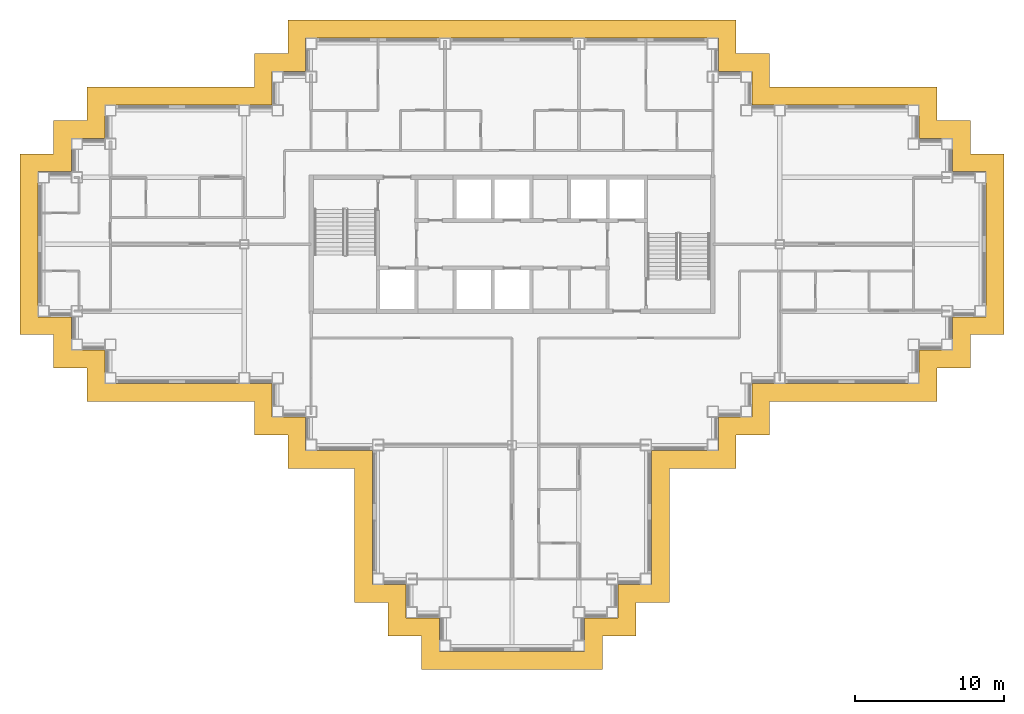
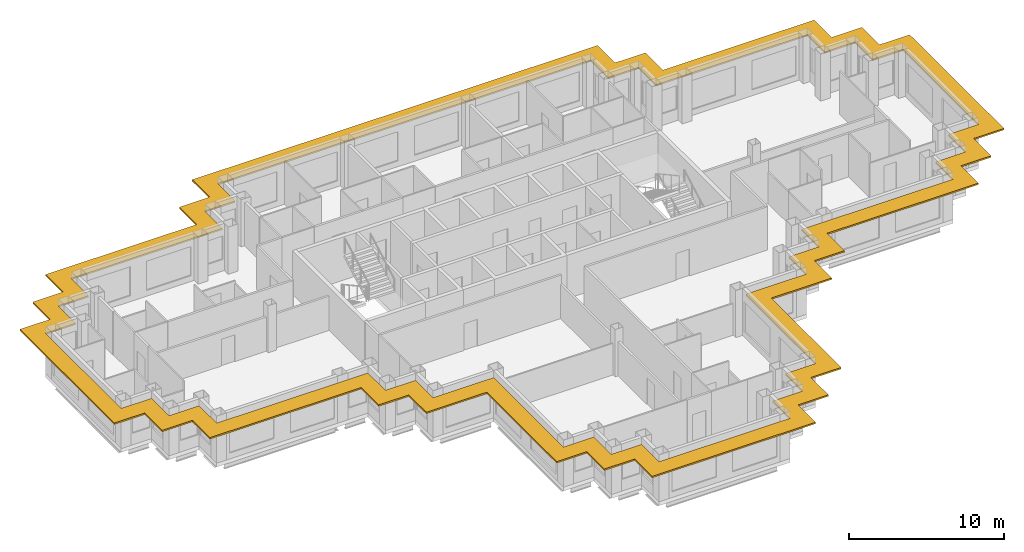
# One storey, part 12 of 13: 1 shading device.
"""IFC4 building model written with IfcOpenShell, lengths in metres."""

from ifc_helpers import new_model, si_unit, direction, frame, origin, place, context, subcontext, project, spatial, polyline, outline, extrude, material, layer, layer_set, type_object, element, save


model = new_model("IFC4")

# Units and contexts
model_context = context("Model", 3, precision=1e-05, world=origin(), true_north=direction((0.0, 1.0)))
body_context = subcontext(model_context, "Body", "Model", "MODEL_VIEW")
ifc_project = project(units=[si_unit("LENGTHUNIT", "METRE"), si_unit("AREAUNIT", "SQUARE_METRE"), si_unit("VOLUMEUNIT", "CUBIC_METRE"), si_unit("PLANEANGLEUNIT", "RADIAN"), si_unit("MASSUNIT", "GRAM", prefix="KILO")], contexts=[model_context])

# Site, building, storey
site_placement = place(None, origin())
site = spatial("IfcSite", under=ifc_project, at=site_placement, CompositionType="ELEMENT")
building_placement = place(site_placement, origin())
building = spatial("IfcBuilding", under=site, at=building_placement, Name="Caravel Reach Hotel and Residences", CompositionType="ELEMENT")
storey_placement = place(building_placement, frame((0.0, 0.0, 180.199951171875)))
storey = spatial("IfcBuildingStorey", under=building, at=storey_placement, Name="L45", CompositionType="ELEMENT", Elevation=180.199951171875)

# Shading device
ifc_material = material(Name="Black powder-coated aluminium", Category="aluminium")
ifc_layer = layer(ifc_material, 0.1201171875)
ifc_layer_set = layer_set([ifc_layer], Name="SS1 Sunshade band 1200")
shading_device_type = type_object("IfcShadingDeviceType", Name="SS1 Sunshade band 1200", PredefinedType="USERDEFINED", material=ifc_layer_set)
shading_device_placement = place(storey_placement, frame((0.0, 0.0, 3.0400390625)))
element("IfcShadingDevice", 1, at=shading_device_placement, inside=storey, type_object=shading_device_type, Name="Sunshade L45 1", ObjectType="SUNSHADE", PredefinedType="USERDEFINED", context=body_context, shape_type="SweptSolid", body=[
    extrude(outline(polyline([(20.925048828125, 11.925048828125), (20.925048828125, 2.925048828125), (23.175048828125, 2.925048828125), (23.175048828125, 0.675048828125), (25.425048828125, 0.675048828125), (25.425048828125, -1.574951171875), (37.574951171875, -1.574951171875), (37.574951171875, 0.675048828125), (39.824951171875, 0.675048828125), (39.824951171875, 2.925048828125), (42.074951171875, 2.925048828125), (42.074951171875, 11.925048828125), (46.574951171875, 11.925048828125), (46.574951171875, 14.175048828125), (48.824951171875, 14.175048828125), (48.824951171875, 16.425048828125), (60.074951171875, 16.425048828125), (60.074951171875, 18.675048828125), (62.324951171875, 18.675048828125), (62.324951171875, 20.925048828125), (64.574951171875, 20.925048828125), (64.574951171875, 33.074951171875), (62.324951171875, 33.074951171875), (62.324951171875, 35.324951171875), (60.074951171875, 35.324951171875), (60.074951171875, 37.574951171875), (48.824951171875, 37.574951171875), (48.824951171875, 39.824951171875), (46.574951171875, 39.824951171875), (46.574951171875, 42.074951171875), (16.425048828125, 42.074951171875), (16.425048828125, 39.824951171875), (14.175048828125, 39.824951171875), (14.175048828125, 37.574951171875), (2.925048828125, 37.574951171875), (2.925048828125, 35.324951171875), (0.675048828125, 35.324951171875), (0.675048828125, 33.074951171875), (-1.574951171875, 33.074951171875), (-1.574951171875, 20.925048828125), (0.675048828125, 20.925048828125), (0.675048828125, 18.675048828125), (2.925048828125, 18.675048828125), (2.925048828125, 16.425048828125), (14.175048828125, 16.425048828125), (14.175048828125, 14.175048828125), (16.425048828125, 14.175048828125), (16.425048828125, 11.925048828125), (20.925048828125, 11.925048828125)]), holes=[polyline([(24.375, 4.125), (22.125, 4.125), (22.125, 13.125), (17.625, 13.125), (17.625, 15.375), (15.375, 15.375), (15.375, 17.625), (4.125, 17.625), (4.125, 19.875), (1.875, 19.875), (1.875, 22.125), (-0.375, 22.125), (-0.375, 31.875), (1.875, 31.875), (1.875, 34.125), (4.125, 34.125), (4.125, 36.375), (15.375, 36.375), (15.375, 38.625), (17.625, 38.625), (17.625, 40.875), (45.375, 40.875), (45.375, 38.625), (47.625, 38.625), (47.625, 36.375), (58.875, 36.375), (58.875, 34.125), (61.125, 34.125), (61.125, 31.875), (63.375, 31.875), (63.375, 22.125), (61.125, 22.125), (61.125, 19.875), (58.875, 19.875), (58.875, 17.625), (47.625, 17.625), (47.625, 15.375), (45.375, 15.375), (45.375, 13.125), (40.875, 13.125), (40.875, 4.125), (38.625, 4.125), (38.625, 1.875), (36.375, 1.875), (36.375, -0.375), (26.625, -0.375), (26.625, 1.875), (24.375, 1.875), (24.375, 4.125)])]), origin(), (0.0, 0.0, 1.0), 0.1201171875),
])

save(model, "model.ifc")
